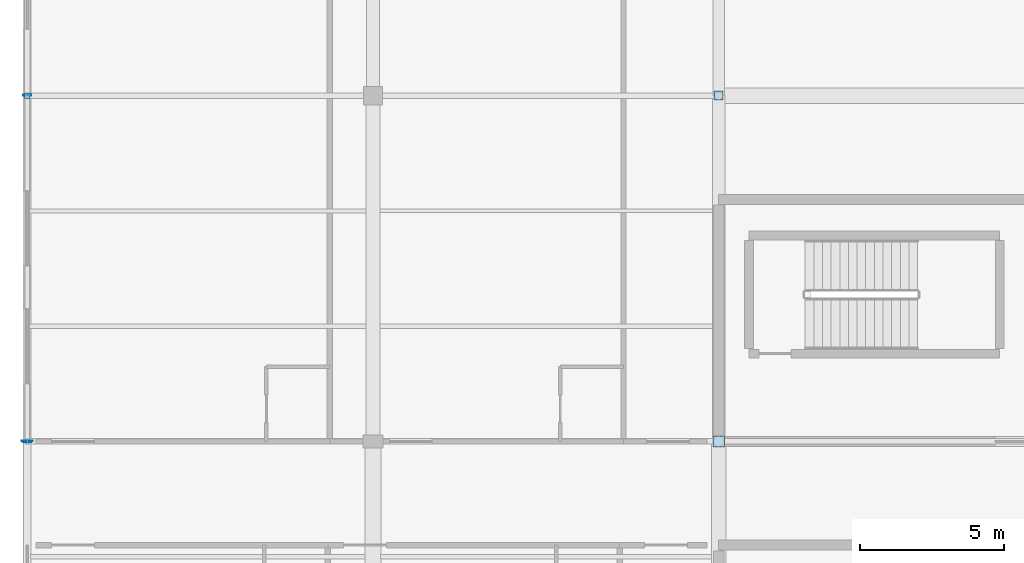
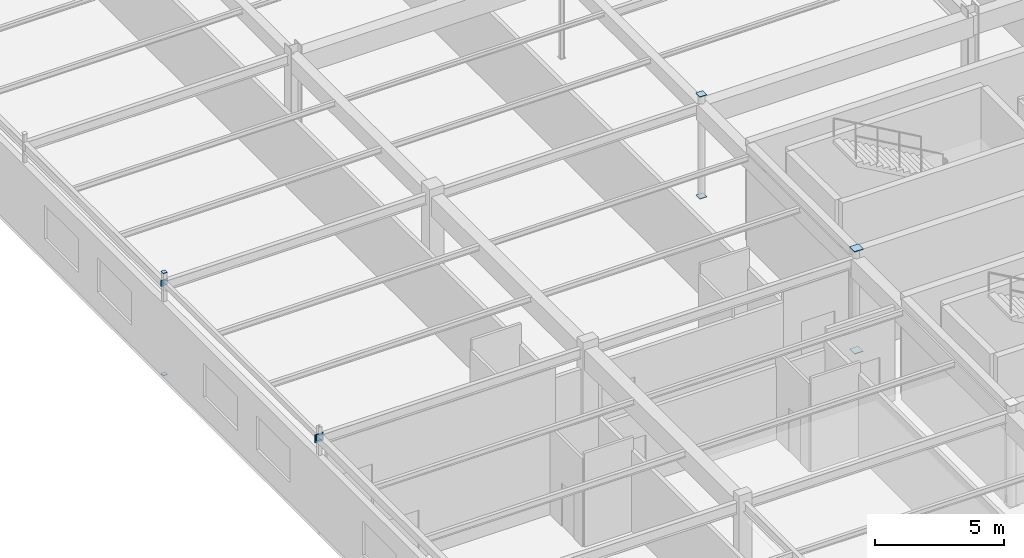
# One storey, part 166 of 226: 9 plates.
"""IFC4 building model written with IfcOpenShell, lengths in metres."""

from ifc_helpers import new_model, si_unit, direction, frame, origin, origin_2d, place, context, subcontext, project, spatial, rectangle, extrude, material, layer, layer_set, type_object, element, save


model = new_model("IFC4")

# Units and contexts
model_context = context("Model", 3, precision=1e-05, world=origin(), true_north=direction((0.0, 1.0)))
body_context = subcontext(model_context, "Body", "Model", "MODEL_VIEW")
ifc_project = project(units=[si_unit("LENGTHUNIT", "METRE"), si_unit("AREAUNIT", "SQUARE_METRE"), si_unit("VOLUMEUNIT", "CUBIC_METRE"), si_unit("PLANEANGLEUNIT", "RADIAN"), si_unit("MASSUNIT", "GRAM", prefix="KILO")], contexts=[model_context])

# Site, building, storey
site_placement = place(None, origin())
site = spatial("IfcSite", under=ifc_project, at=site_placement, CompositionType="ELEMENT")
building_placement = place(site_placement, origin())
building = spatial("IfcBuilding", under=site, at=building_placement, Name="Tarnwether General Hospital", CompositionType="ELEMENT")
storey_placement = place(building_placement, frame((0.0, 0.0, 4.800048828125)))
storey = spatial("IfcBuildingStorey", under=building, at=storey_placement, Name="L01", CompositionType="ELEMENT", Elevation=4.800048828125)

# Plates
ifc_material = material(Name="Steel Grade 350 (350 MPa)", Category="steel")
ifc_layer = layer(ifc_material, 0.02490234375)
ifc_layer_set = layer_set([ifc_layer], Name="Steel Grade 350 (350 MPa)")
plate_type = type_object("IfcPlateType", Name="PT-GUS2", PredefinedType="USERDEFINED", material=ifc_layer_set)
for number, where, z_axis, x_axis, name in (
    (1, (0.0, 93.60009765625, -0.02490234375), (0.0, 0.0, 1.0), (1.0, 0.0, 0.0), "Hollow Section Welded End Cap Plate 0019"),
    (2, (0.0, 93.60009765625, 4.800048828125), (0.0, 0.0, 1.0), (1.0, 0.0, 0.0), "Hollow Section Welded End Cap Plate 0020"),
):
    element("IfcPlate", number, at=place(storey_placement, frame(where, z_axis=z_axis, x_axis=x_axis)), inside=storey, type_object=plate_type, Name=name, ObjectType="GUSSET", PredefinedType="USERDEFINED", context=body_context, shape_type="SweptSolid", body=[
        extrude(rectangle(XDim=0.18994140625, YDim=0.18994140625, at=origin_2d()), origin(), (0.0, 0.0, 1.0), 0.02490234375),
    ])
for number, where, z_axis, x_axis, name in (
    (3, (24.0, 81.60009765625, -0.02490234375), (0.0, 0.0, 1.0), (1.0, 0.0, 0.0), "Hollow Section Welded End Cap Plate 0049"),
    (4, (24.0, 81.60009765625, 4.800048828125), (0.0, 0.0, 1.0), (1.0, 0.0, 0.0), "Hollow Section Welded End Cap Plate 0050"),
):
    element("IfcPlate", number, at=place(storey_placement, frame(where, z_axis=z_axis, x_axis=x_axis)), inside=storey, type_object=plate_type, Name=name, ObjectType="GUSSET", PredefinedType="USERDEFINED", context=body_context, shape_type="SweptSolid", body=[
        extrude(rectangle(XDim=0.39599609375, YDim=0.39599609375, at=origin_2d()), origin(), (0.0, 0.0, 1.0), 0.02490234375),
    ])
for number, where, z_axis, x_axis, name in (
    (5, (24.0, 93.60009765625, -0.02490234375), (0.0, 0.0, 1.0), (1.0, 0.0, 0.0), "Hollow Section Welded End Cap Plate 0055"),
    (6, (24.0, 93.60009765625, 4.800048828125), (0.0, 0.0, 1.0), (1.0, 0.0, 0.0), "Hollow Section Welded End Cap Plate 0056"),
):
    element("IfcPlate", number, at=place(storey_placement, frame(where, z_axis=z_axis, x_axis=x_axis)), inside=storey, type_object=plate_type, Name=name, ObjectType="GUSSET", PredefinedType="USERDEFINED", context=body_context, shape_type="SweptSolid", body=[
        extrude(rectangle(XDim=0.31298828125, YDim=0.31298828125, at=origin_2d()), origin(), (0.0, 0.0, 1.0), 0.02490234375),
    ])
plate_placement = place(storey_placement, frame((0.0, 81.612548828125, 4.06005859375), z_axis=(0.0, 0.0, 1.0), x_axis=(0.0, 1.0, 0.0)))
element("IfcPlate", 7, at=plate_placement, inside=storey, type_object=plate_type, Name="Hollow Section Welded End Cap Plate 0908", ObjectType="GUSSET", PredefinedType="USERDEFINED", context=body_context, shape_type="SweptSolid", body=[
    extrude(rectangle(XDim=0.02490234375, YDim=0.389892578125, at=origin_2d()), origin(), (0.0, 0.0, 1.0), 0.389892578125),
])
for number, where, z_axis, x_axis, name in (
    (8, (0.0, 81.58740234375, 4.159912109375), (0.0, 0.0, 1.0), (0.0, 1.0, 0.0), "Hollow Section Welded End Cap Plate 0909"),
    (9, (0.0, 93.612548828125, 4.159912109375), (0.0, 0.0, 1.0), (0.0, 1.0, 0.0), "Hollow Section Welded End Cap Plate 0910"),
):
    element("IfcPlate", number, at=place(storey_placement, frame(where, z_axis=z_axis, x_axis=x_axis)), inside=storey, type_object=plate_type, Name=name, ObjectType="GUSSET", PredefinedType="USERDEFINED", context=body_context, shape_type="SweptSolid", body=[
        extrude(rectangle(XDim=0.02490234375, YDim=0.2900390625, at=origin_2d()), origin(), (0.0, 0.0, 1.0), 0.2900390625),
    ])

save(model, "model.ifc")
